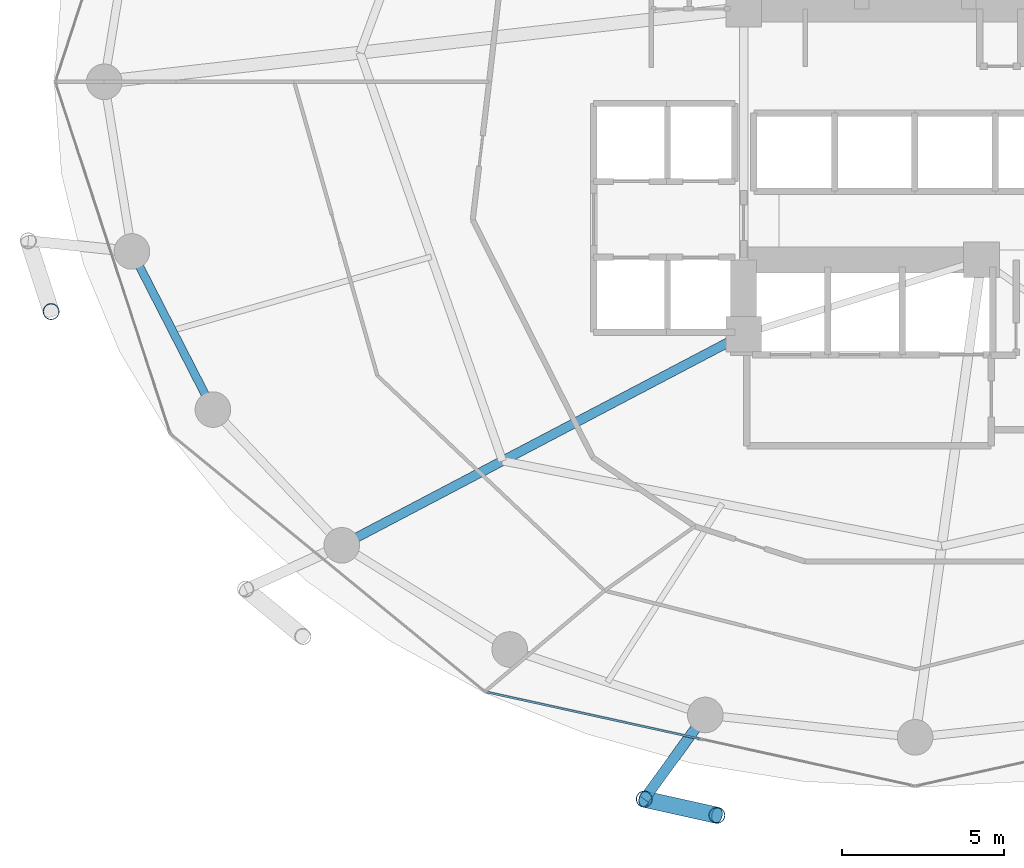
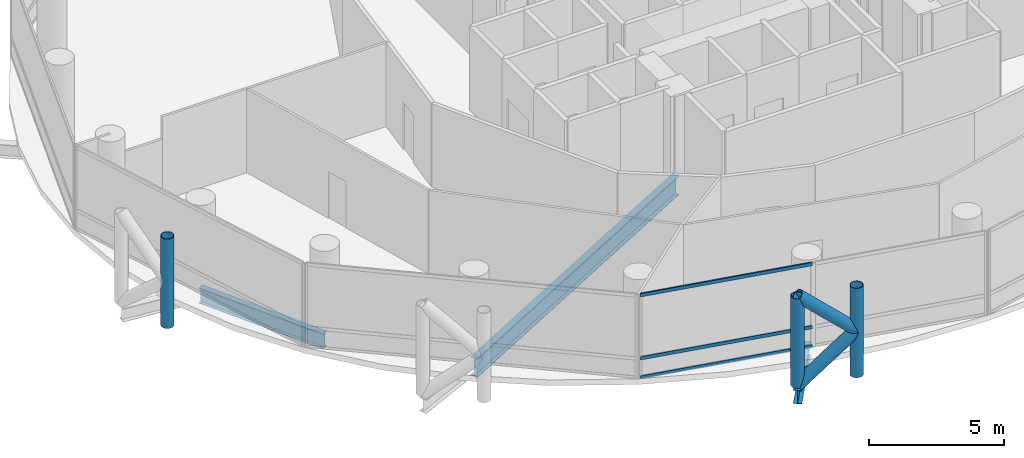
# One storey, part 3 of 24: 8 members, 3 beams, 1 element without a shape of its own.
"""IFC4 building model written with IfcOpenShell, lengths in metres."""

import ifcopenshell
import ifcopenshell.guid

model = None  # the IFC model being written
_history = None  # IfcOwnerHistory: only IFC2X3 demands one
_inside = {}  # id of a spatial element -> (the spatial element, [elements in it])
_under = {}  # id of a project, library or spatial element -> (it, [spatial elements below it])
_declared = {}  # id of a project -> (the project, [libraries it declares])
_typed = {}  # id of a type object -> (the type object, [elements of that type])
_made_of = {}  # id of a material, layer set ... -> (it, [elements and type objects made of it])


def new_model(schema):
    """Start an empty IFC model of exactly this schema.

    Asked for "IFC4X3", IfcOpenShell would pick the latest addendum, in which some entities
    have other attributes; the version numbers below select the first issue.
    IFC2X3 requires an IfcOwnerHistory on every rooted entity: one is made here for all.
    """
    global model, _history
    if schema == "IFC4X3":
        model = ifcopenshell.file(schema_version=(4, 3, 0, 0))
    else:
        model = ifcopenshell.file(schema=schema)
    _inside.clear()
    _under.clear()
    _declared.clear()
    _typed.clear()
    _made_of.clear()
    _history = None
    if model.schema == "IFC2X3":
        org = make("IfcOrganization", Name="unknown")
        user = make(
            "IfcPersonAndOrganization",
            ThePerson=make("IfcPerson", FamilyName="unknown"),
            TheOrganization=org,
        )
        app = make(
            "IfcApplication",
            ApplicationDeveloper=org,
            Version="unknown",
            ApplicationFullName="unknown",
            ApplicationIdentifier="unknown",
        )
        _history = make(
            "IfcOwnerHistory",
            OwningUser=user,
            OwningApplication=app,
            ChangeAction="ADDED",
            CreationDate=0,
        )
    return model


def make(cls, **values):
    """One entity of the class cls with the attributes given. An attribute that is None is left unset."""
    return model.create_entity(
        cls, **{name: value for name, value in values.items() if value is not None}
    )


def rooted(cls, **values):
    """An entity with a GlobalId (a new one), such as an element, a storey or a relation."""
    return make(cls, GlobalId=ifcopenshell.guid.new(), OwnerHistory=_history, **values)


def si_unit(unit_type, name, prefix=None):
    """IfcSIUnit, for example si_unit("LENGTHUNIT", "METRE", prefix="MILLI")."""
    return make("IfcSIUnit", UnitType=unit_type, Prefix=prefix, Name=name)


def assignment(units):
    """IfcUnitAssignment: the units of a project."""
    return None if units is None else make("IfcUnitAssignment", Units=units)


def point(xyz):
    """IfcCartesianPoint."""
    return None if xyz is None else make("IfcCartesianPoint", Coordinates=xyz)


def direction(xyz):
    """IfcDirection."""
    return None if xyz is None else make("IfcDirection", DirectionRatios=xyz)


def frame(location, z_axis=None, x_axis=None):
    """IfcAxis2Placement3D, a coordinate frame: its origin and axes. An axis left out is left unset."""
    return make(
        "IfcAxis2Placement3D",
        Location=point(location),
        Axis=direction(z_axis),
        RefDirection=direction(x_axis),
    )


def frame_2d(location, x_axis=None):
    """IfcAxis2Placement2D, a coordinate frame in the plane: its origin and x axis."""
    return make(
        "IfcAxis2Placement2D", Location=point(location), RefDirection=direction(x_axis)
    )


def origin():
    """The frame at (0, 0, 0) with its axes left unset."""
    return frame((0.0, 0.0, 0.0))


def origin_2d():
    """The frame at (0, 0) in the plane with its x axis left unset."""
    return frame_2d((0.0, 0.0))


def place(relative_to, where):
    """IfcLocalPlacement: puts the frame where relative to a parent placement (None: the world)."""
    return make(
        "IfcLocalPlacement", PlacementRelTo=relative_to, RelativePlacement=where
    )


def context(
    kind, dimensions, precision=None, world=None, true_north=None, identifier=None
):
    """IfcGeometricRepresentationContext, for example the 3D "Model" context."""
    return make(
        "IfcGeometricRepresentationContext",
        ContextIdentifier=identifier,
        ContextType=kind,
        CoordinateSpaceDimension=dimensions,
        Precision=precision,
        WorldCoordinateSystem=world,
        TrueNorth=true_north,
    )


def subcontext(parent, identifier, kind, view, scale=None):
    """IfcGeometricRepresentationSubContext, for example "Body" below "Model"."""
    return make(
        "IfcGeometricRepresentationSubContext",
        ContextIdentifier=identifier,
        ContextType=kind,
        ParentContext=parent,
        TargetScale=scale,
        TargetView=view,
    )


def project(units=None, contexts=None):
    """IfcProject with its units and contexts."""
    return rooted(
        "IfcProject",
        Name="project",
        RepresentationContexts=contexts,
        UnitsInContext=assignment(units),
    )


def spatial(cls, under=None, at=None, **own):
    """A site, building, storey or space (cls), placed at a placement, below another one or the project."""
    s = rooted(cls, ObjectPlacement=at, **own)
    if under is not None:
        _under.setdefault(under.id(), (under, []))[1].append(s)
    return s


def profile(cls, at=None, kind="AREA", **sizes):
    """A parametric profile (cls). Its sizes go by their IFC names, for example OverallWidth=200.0."""
    return make(cls, ProfileType=kind, Position=at, **sizes)


def hollow_rectangle(**sizes):
    """IfcRectangleHollowProfileDef."""
    return profile("IfcRectangleHollowProfileDef", **sizes)


def hollow_circle(**sizes):
    """IfcCircleHollowProfileDef."""
    return profile("IfcCircleHollowProfileDef", **sizes)


def i_section(**sizes):
    """IfcIShapeProfileDef."""
    return profile("IfcIShapeProfileDef", **sizes)


def extrude(swept, where, along, depth):
    """IfcExtrudedAreaSolid: the profile swept, set in the frame where, extruded along a direction by depth."""
    return make(
        "IfcExtrudedAreaSolid",
        SweptArea=swept,
        Position=where,
        ExtrudedDirection=direction(along),
        Depth=depth,
    )


def shape(context_of_items, identifier, shape_type, items):
    """IfcShapeRepresentation: the items that make up one representation, for example the "Body"."""
    return make(
        "IfcShapeRepresentation",
        ContextOfItems=context_of_items,
        RepresentationIdentifier=identifier,
        RepresentationType=shape_type,
        Items=items,
    )


def material(Name=None, Category=None):
    """IfcMaterial."""
    return make("IfcMaterial", Name=Name, Category=Category)


def layer(
    of_material, thickness, ventilated=None, Name=None, Category=None, Priority=None
):
    """IfcMaterialLayer: one layer of a wall or slab, of a material (None: an air gap)."""
    return make(
        "IfcMaterialLayer",
        Material=of_material,
        LayerThickness=thickness,
        IsVentilated=ventilated,
        Name=Name,
        Category=Category,
        Priority=Priority,
    )


def layer_set(layers, Name=None):
    """IfcMaterialLayerSet."""
    return make("IfcMaterialLayerSet", MaterialLayers=layers, LayerSetName=Name)


def material_profile(
    of_material, cross_section, Name=None, Category=None, Priority=None
):
    """IfcMaterialProfile: a cross section and its material."""
    return make(
        "IfcMaterialProfile",
        Name=Name,
        Material=of_material,
        Profile=cross_section,
        Priority=Priority,
        Category=Category,
    )


def profile_set(profiles, Name=None, composite=None):
    """IfcMaterialProfileSet."""
    return make(
        "IfcMaterialProfileSet",
        Name=Name,
        MaterialProfiles=profiles,
        CompositeProfile=composite,
    )


def made_of(thing, what):
    """Note that an element or type object is made of a material, layer set ...; save() writes the relation."""
    if what is not None:
        _made_of.setdefault(what.id(), (what, []))[1].append(thing)
    return thing


def type_object(cls, material=None, **own):
    """A type object (cls), such as IfcWallType, which elements share."""
    return made_of(rooted(cls, **own), material)


def element(
    cls,
    number,
    at=None,
    inside=None,
    cuts=None,
    type_object=None,
    material=None,
    context=None,
    identifier="Body",
    shape_type=None,
    held_by="IfcProductDefinitionShape",
    body=None,
    shapes=None,
    **own,
):
    """One element of the class cls, such as IfcWall. Its Tag is "e" and its number.

    at: its placement. inside: the storey or other place that contains it. cuts: it is an
    opening in that element (IfcRelVoidsElement). A single representation is given by context,
    identifier, shape_type and body (its items); several are given by shapes. held_by: the class
    of the entity that holds the representations. save() writes the other relations.
    """
    e = rooted(cls, Tag="e%d" % number, ObjectPlacement=at, **own)
    if body is not None:
        shapes = [shape(context, identifier, shape_type, body)]
    if shapes is not None:
        e.Representation = make(held_by, Representations=shapes)
    if inside is not None:
        _inside.setdefault(inside.id(), (inside, []))[1].append(e)
    if cuts is not None:
        rooted(
            "IfcRelVoidsElement", RelatingBuildingElement=cuts, RelatedOpeningElement=e
        )
    if type_object is not None:
        _typed.setdefault(type_object.id(), (type_object, []))[1].append(e)
    return made_of(e, material)


def aggregate(whole, parts):
    """IfcRelAggregates: a whole, such as a stair, and the parts it consists of."""
    return rooted("IfcRelAggregates", RelatingObject=whole, RelatedObjects=parts)


def save(model, path):
    """Write the relations noted so far, then the file.

    IfcRelAggregates (storeys below a building ...), IfcRelContainedInSpatialStructure (elements
    in a storey), IfcRelDefinesByType, IfcRelAssociatesMaterial and IfcRelDeclares: one each for
    every whole, place, type object, material and project.
    """
    for whole, parts in _under.values():
        aggregate(whole, parts)
    for where, things in _inside.values():
        rooted(
            "IfcRelContainedInSpatialStructure",
            RelatedElements=things,
            RelatingStructure=where,
        )
    for kind, things in _typed.values():
        rooted("IfcRelDefinesByType", RelatedObjects=things, RelatingType=kind)
    for what, things in _made_of.values():
        rooted("IfcRelAssociatesMaterial", RelatedObjects=things, RelatingMaterial=what)
    for by, libraries in _declared.values():
        rooted("IfcRelDeclares", RelatingContext=by, RelatedDefinitions=libraries)
    model.write(path)


model = new_model("IFC4")

# Units and contexts
model_context = context("Model", 3, precision=1e-05, world=origin(), true_north=direction((0.0, 1.0)))
body_context = subcontext(model_context, "Body", "Model", "MODEL_VIEW")
ifc_project = project(units=[si_unit("LENGTHUNIT", "METRE"), si_unit("AREAUNIT", "SQUARE_METRE"), si_unit("VOLUMEUNIT", "CUBIC_METRE"), si_unit("PLANEANGLEUNIT", "RADIAN"), si_unit("MASSUNIT", "GRAM", prefix="KILO")], contexts=[model_context])

# Site, building, storey
site_placement = place(None, origin())
site = spatial("IfcSite", under=ifc_project, at=site_placement, CompositionType="ELEMENT")
building_placement = place(site_placement, origin())
building = spatial("IfcBuilding", under=site, at=building_placement, Name="Nuhasar Tower", CompositionType="ELEMENT")
storey_placement = place(building_placement, frame((0.0, 0.0, 33.14990234375)))
storey = spatial("IfcBuildingStorey", under=building, at=storey_placement, Name="L07", CompositionType="ELEMENT", Elevation=33.14990234375)

# Beams
ifc_material_1 = material(Name="Steel S355", Category="steel")
ifc_material_profile_1 = material_profile(ifc_material_1, i_section(OverallWidth=0.2919921875, OverallDepth=0.85888671875, WebThickness=0.01708984375, FlangeThickness=0.031005859375, at=origin_2d()), Name="W33X169")
ifc_profile_set_1 = profile_set([ifc_material_profile_1], Name="Steel S355")
beam_type_1 = type_object("IfcBeamType", Name="BM-POD-W33X169", PredefinedType="BEAM", material=ifc_profile_set_1)
beam_1_placement = place(storey_placement, frame((33.699951171875, 19.0, -0.68896484375), z_axis=(-0.885330348705, -0.464962550816, 0.0), x_axis=(0.464962550816, -0.885330348705, 0.0)))
element("IfcBeam", 1, at=beam_1_placement, inside=storey, type_object=beam_type_1, Name="L07 Radial Floor Girder 01", PredefinedType="BEAM", context=body_context, shape_type="SweptSolid", body=[
    extrude(i_section(OverallWidth=0.2919921875, OverallDepth=0.85888671875, WebThickness=0.01708984375, FlangeThickness=0.031005859375, at=origin_2d()), origin(), (0.0, 0.0, 1.0), 14.0205078125),
])
ifc_material_profile_2 = material_profile(ifc_material_1, i_section(OverallWidth=0.256103515625, OverallDepth=0.693115234375, WebThickness=0.014404296875, FlangeThickness=0.023681640625, at=origin_2d()), Name="W27X114")
ifc_profile_set_2 = profile_set([ifc_material_profile_2], Name="Steel S355")
beam_type_2 = type_object("IfcBeamType", Name="BM-RING-W27X114", PredefinedType="SPANDREL", material=ifc_profile_set_2)
beam_2_placement = place(storey_placement, frame((14.803955078125, 21.55908203125, -0.60595703125), z_axis=(0.455930023905, -0.890015625314, 0.0), x_axis=(0.890015625314, 0.455930023905, 0.0)))
element("IfcBeam", 2, at=beam_2_placement, inside=storey, type_object=beam_type_2, Name="L07 Perimeter Ring Spandrel 14", PredefinedType="SPANDREL", context=body_context, shape_type="SweptSolid", body=[
    extrude(i_section(OverallWidth=0.256103515625, OverallDepth=0.693115234375, WebThickness=0.014404296875, FlangeThickness=0.023681640625, at=origin_2d()), origin(), (0.0, 0.0, 1.0), 5.487548828125),
])
ifc_material_profile_3 = material_profile(ifc_material_1, i_section(OverallWidth=0.323974609375, OverallDepth=0.611083984375, WebThickness=0.0126953125, FlangeThickness=0.01904296875, at=origin_2d()), Name="W24X104")
ifc_profile_set_3 = profile_set([ifc_material_profile_3], Name="Steel S355")
beam_type_3 = type_object("IfcBeamType", Name="BM-TIE-W24X104", PredefinedType="BEAM", material=ifc_profile_set_3)
beam_3_placement = place(storey_placement, frame((32.51708984375, 7.239990234375, -0.56591796875), z_axis=(-0.587403316448, -0.809294349311, 0.0), x_axis=(0.809294349311, -0.587403316448, 0.0)))
element("IfcBeam", 3, at=beam_3_placement, inside=storey, type_object=beam_type_3, Name="L07 Exoskeleton Node Tie Beam 09", PredefinedType="BEAM", context=body_context, shape_type="SweptSolid", body=[
    extrude(i_section(OverallWidth=0.323974609375, OverallDepth=0.611083984375, WebThickness=0.0126953125, FlangeThickness=0.01904296875, at=origin_2d()), origin(), (0.0, 0.0, 1.0), 3.212890625),
])

# Curtain wall, members
ifc_material_2 = material(Name="Aluminium 6063-T6", Category="aluminium")
ifc_layer = layer(ifc_material_2, 0.199951171875)
ifc_layer_set = layer_set([ifc_layer], Name="Aluminium 6063-T6")
curtain_wall_type = type_object("IfcCurtainWallType", Name="CW-Z1-OFF", PredefinedType="NOTDEFINED", material=ifc_layer_set)
curtain_wall_placement = place(storey_placement, origin())
curtain_wall = element("IfcCurtainWall", 4, at=curtain_wall_placement, inside=storey, type_object=curtain_wall_type, Name="L07 Unitised Curtain Wall 09", PredefinedType="NOTDEFINED")
ifc_material_profile_4 = material_profile(ifc_material_2, hollow_rectangle(XDim=0.06494140625, YDim=0.14990234375, WallThickness=0.00439453125, at=origin_2d()), Name="CWT-2")
ifc_profile_set_4 = profile_set([ifc_material_profile_4], Name="Aluminium 6063-T6")
member_type_1 = type_object("IfcMemberType", Name="CW-TRN-S2", PredefinedType="USERDEFINED", material=ifc_profile_set_4)
member_1_placement = place(storey_placement, frame((25.783447265625, 7.941162109375, 0.03271484375), z_axis=(0.976741923778, -0.214418316228, 0.0), x_axis=(0.214418316228, 0.976741923778, 0.0)))
member_1 = element("IfcMember", 5, at=member_1_placement, type_object=member_type_1, Name="CW-Z1 transom 1.1", ObjectType="TRANSOM", PredefinedType="USERDEFINED", context=body_context, shape_type="SweptSolid", body=[
    extrude(hollow_rectangle(XDim=0.06494140625, YDim=0.14990234375, WallThickness=0.00439453125, at=origin_2d()), origin(), (0.0, 0.0, 1.0), 6.70068359375),
])
member_2_placement = place(storey_placement, frame((25.783447265625, 7.941162109375, 0.900146484375), z_axis=(0.976741923778, -0.214418316228, 0.0), x_axis=(0.214418316228, 0.976741923778, 0.0)))
member_2 = element("IfcMember", 6, at=member_2_placement, type_object=member_type_1, Name="CW-Z1 transom 1.2", ObjectType="TRANSOM", PredefinedType="USERDEFINED", context=body_context, shape_type="SweptSolid", body=[
    extrude(hollow_rectangle(XDim=0.06494140625, YDim=0.14990234375, WallThickness=0.00439453125, at=origin_2d()), origin(), (0.0, 0.0, 1.0), 6.70068359375),
])
member_3_placement = place(storey_placement, frame((25.783447265625, 7.941162109375, 3.757568359375), z_axis=(0.976741923778, -0.214418316228, 0.0), x_axis=(0.214418316228, 0.976741923778, 0.0)))
member_3 = element("IfcMember", 7, at=member_3_placement, type_object=member_type_1, Name="CW-Z1 transom 1.3", ObjectType="TRANSOM", PredefinedType="USERDEFINED", context=body_context, shape_type="SweptSolid", body=[
    extrude(hollow_rectangle(XDim=0.06494140625, YDim=0.14990234375, WallThickness=0.00439453125, at=origin_2d()), origin(), (0.0, 0.0, 1.0), 6.70068359375),
])
aggregate(curtain_wall, [member_1, member_2, member_3])

# Members
ifc_material_3 = material(Name="Steel S460", Category="steel")
ifc_material_profile_5 = material_profile(ifc_material_3, hollow_circle(Radius=0.25390625, WallThickness=0.025390625, at=origin_2d()), Name="HSS508X25.4")
ifc_profile_set_5 = profile_set([ifc_material_profile_5], Name="Steel S460")
member_type_2 = type_object("IfcMemberType", Name="EXO-BRONZE-508", PredefinedType="BRACE", material=ifc_profile_set_5)
for number, where, z_axis, x_axis, name in (
    (8, (12.30810546875, 19.700927734375, 0.0), (0.0, 0.0, 1.0), (1.0, 0.0, 0.0), "L07 Exoskeleton Chord Column EC-07B"),
    (9, (30.6298828125, 4.639892578125, 0.0), (0.0, 0.0, 1.0), (1.0, 0.0, 0.0), "L07 Exoskeleton Chord Column EC-09A"),
    (10, (32.8759765625, 4.14111328125, 0.0), (0.0, 0.0, 1.0), (1.0, 0.0, 0.0), "L07 Exoskeleton Chord Column EC-09B"),
):
    element("IfcMember", number, at=place(storey_placement, frame(where, z_axis=z_axis, x_axis=x_axis)), inside=storey, type_object=member_type_2, Name=name, PredefinedType="BRACE", context=body_context, shape_type="SweptSolid", body=[
        extrude(hollow_circle(Radius=0.25390625, WallThickness=0.025390625, at=origin_2d()), origin(), (0.0, 0.0, 1.0), 4.050048828125),
    ])
member_4_placement = place(storey_placement, frame((30.6298828125, 4.639892578125, 0.0), z_axis=(0.732792408767, -0.162727705556, 0.660707938122), x_axis=(0.216784396973, 0.976219506683, 0.0)))
element("IfcMember", 11, at=member_4_placement, inside=storey, type_object=member_type_2, Name="L07 Bronze Diagrid Brace W1-09", PredefinedType="BRACE", context=body_context, shape_type="SweptSolid", body=[
    extrude(hollow_circle(Radius=0.25390625, WallThickness=0.025390625, at=origin_2d()), origin(), (0.0, 0.0, 1.0), 3.065185546875),
])
member_5_placement = place(storey_placement, frame((32.8759765625, 4.14111328125, 2.025146484375), z_axis=(-0.732830973624, 0.162736269469, 0.66066305383), x_axis=(-0.216784396973, -0.976219506683, 0.0)))
element("IfcMember", 12, at=member_5_placement, inside=storey, type_object=member_type_2, Name="L07 Bronze Diagrid Brace W2-09", PredefinedType="BRACE", context=body_context, shape_type="SweptSolid", body=[
    extrude(hollow_circle(Radius=0.25390625, WallThickness=0.025390625, at=origin_2d()), origin(), (0.0, 0.0, 1.0), 3.06494140625),
])

save(model, "model.ifc")
